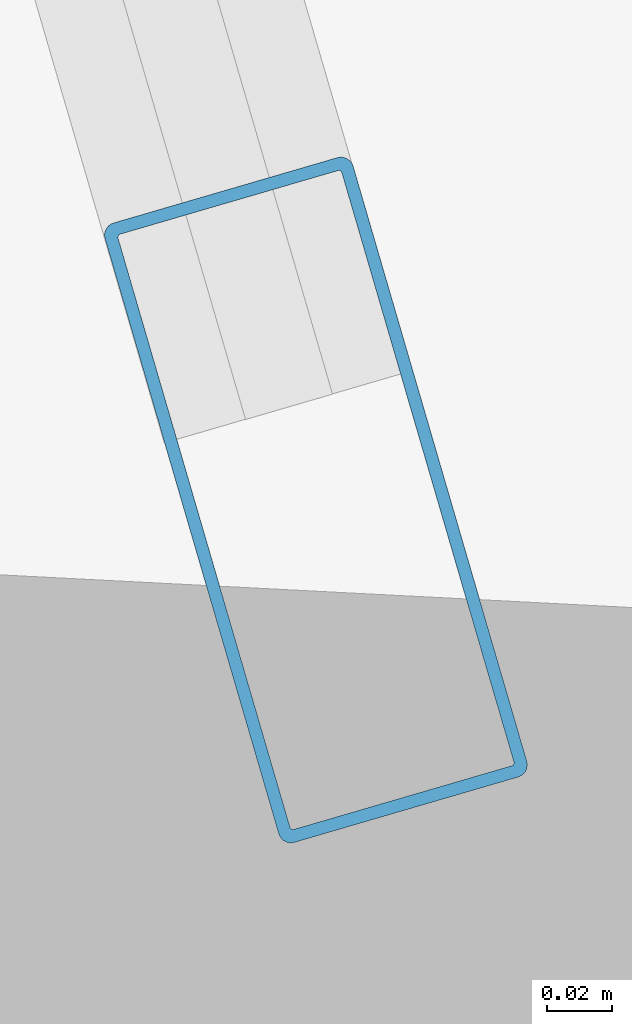
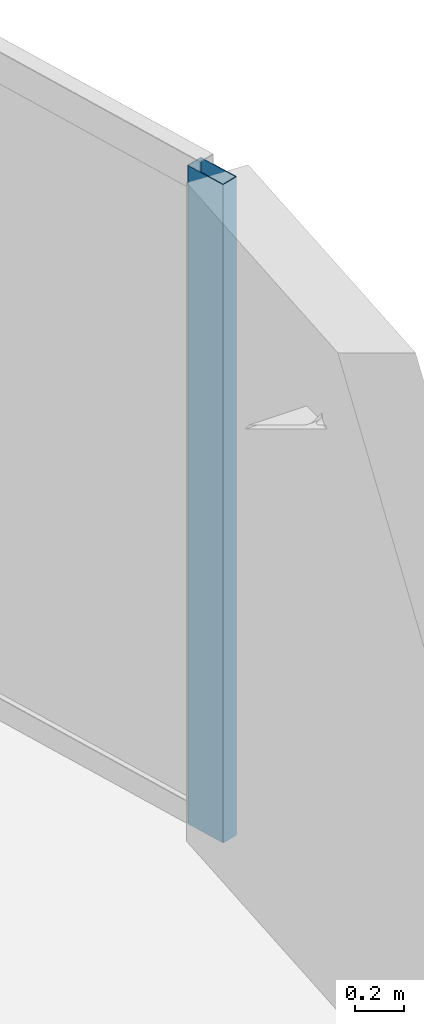
# One storey, part 13 of 30: 1 member, 1 element without a shape of its own.
"""IFC4 building model written with IfcOpenShell, lengths in metres."""

import ifcopenshell
import ifcopenshell.guid

model = None  # the IFC model being written
_history = None  # IfcOwnerHistory: only IFC2X3 demands one
_inside = {}  # id of a spatial element -> (the spatial element, [elements in it])
_under = {}  # id of a project, library or spatial element -> (it, [spatial elements below it])
_declared = {}  # id of a project -> (the project, [libraries it declares])
_typed = {}  # id of a type object -> (the type object, [elements of that type])
_made_of = {}  # id of a material, layer set ... -> (it, [elements and type objects made of it])


def new_model(schema):
    """Start an empty IFC model of exactly this schema.

    Asked for "IFC4X3", IfcOpenShell would pick the latest addendum, in which some entities
    have other attributes; the version numbers below select the first issue.
    IFC2X3 requires an IfcOwnerHistory on every rooted entity: one is made here for all.
    """
    global model, _history
    if schema == "IFC4X3":
        model = ifcopenshell.file(schema_version=(4, 3, 0, 0))
    else:
        model = ifcopenshell.file(schema=schema)
    _inside.clear()
    _under.clear()
    _declared.clear()
    _typed.clear()
    _made_of.clear()
    _history = None
    if model.schema == "IFC2X3":
        org = make("IfcOrganization", Name="unknown")
        user = make(
            "IfcPersonAndOrganization",
            ThePerson=make("IfcPerson", FamilyName="unknown"),
            TheOrganization=org,
        )
        app = make(
            "IfcApplication",
            ApplicationDeveloper=org,
            Version="unknown",
            ApplicationFullName="unknown",
            ApplicationIdentifier="unknown",
        )
        _history = make(
            "IfcOwnerHistory",
            OwningUser=user,
            OwningApplication=app,
            ChangeAction="ADDED",
            CreationDate=0,
        )
    return model


def make(cls, **values):
    """One entity of the class cls with the attributes given. An attribute that is None is left unset."""
    return model.create_entity(
        cls, **{name: value for name, value in values.items() if value is not None}
    )


def rooted(cls, **values):
    """An entity with a GlobalId (a new one), such as an element, a storey or a relation."""
    return make(cls, GlobalId=ifcopenshell.guid.new(), OwnerHistory=_history, **values)


def si_unit(unit_type, name, prefix=None):
    """IfcSIUnit, for example si_unit("LENGTHUNIT", "METRE", prefix="MILLI")."""
    return make("IfcSIUnit", UnitType=unit_type, Prefix=prefix, Name=name)


def assignment(units):
    """IfcUnitAssignment: the units of a project."""
    return None if units is None else make("IfcUnitAssignment", Units=units)


def point(xyz):
    """IfcCartesianPoint."""
    return None if xyz is None else make("IfcCartesianPoint", Coordinates=xyz)


def direction(xyz):
    """IfcDirection."""
    return None if xyz is None else make("IfcDirection", DirectionRatios=xyz)


def frame(location, z_axis=None, x_axis=None):
    """IfcAxis2Placement3D, a coordinate frame: its origin and axes. An axis left out is left unset."""
    return make(
        "IfcAxis2Placement3D",
        Location=point(location),
        Axis=direction(z_axis),
        RefDirection=direction(x_axis),
    )


def frame_2d(location, x_axis=None):
    """IfcAxis2Placement2D, a coordinate frame in the plane: its origin and x axis."""
    return make(
        "IfcAxis2Placement2D", Location=point(location), RefDirection=direction(x_axis)
    )


def origin():
    """The frame at (0, 0, 0) with its axes left unset."""
    return frame((0.0, 0.0, 0.0))


def origin_2d():
    """The frame at (0, 0) in the plane with its x axis left unset."""
    return frame_2d((0.0, 0.0))


def place(relative_to, where):
    """IfcLocalPlacement: puts the frame where relative to a parent placement (None: the world)."""
    return make(
        "IfcLocalPlacement", PlacementRelTo=relative_to, RelativePlacement=where
    )


def context(
    kind, dimensions, precision=None, world=None, true_north=None, identifier=None
):
    """IfcGeometricRepresentationContext, for example the 3D "Model" context."""
    return make(
        "IfcGeometricRepresentationContext",
        ContextIdentifier=identifier,
        ContextType=kind,
        CoordinateSpaceDimension=dimensions,
        Precision=precision,
        WorldCoordinateSystem=world,
        TrueNorth=true_north,
    )


def subcontext(parent, identifier, kind, view, scale=None):
    """IfcGeometricRepresentationSubContext, for example "Body" below "Model"."""
    return make(
        "IfcGeometricRepresentationSubContext",
        ContextIdentifier=identifier,
        ContextType=kind,
        ParentContext=parent,
        TargetScale=scale,
        TargetView=view,
    )


def project(units=None, contexts=None):
    """IfcProject with its units and contexts."""
    return rooted(
        "IfcProject",
        Name="project",
        RepresentationContexts=contexts,
        UnitsInContext=assignment(units),
    )


def spatial(cls, under=None, at=None, **own):
    """A site, building, storey or space (cls), placed at a placement, below another one or the project."""
    s = rooted(cls, ObjectPlacement=at, **own)
    if under is not None:
        _under.setdefault(under.id(), (under, []))[1].append(s)
    return s


def profile(cls, at=None, kind="AREA", **sizes):
    """A parametric profile (cls). Its sizes go by their IFC names, for example OverallWidth=200.0."""
    return make(cls, ProfileType=kind, Position=at, **sizes)


def hollow_rectangle(**sizes):
    """IfcRectangleHollowProfileDef."""
    return profile("IfcRectangleHollowProfileDef", **sizes)


def extrude(swept, where, along, depth):
    """IfcExtrudedAreaSolid: the profile swept, set in the frame where, extruded along a direction by depth."""
    return make(
        "IfcExtrudedAreaSolid",
        SweptArea=swept,
        Position=where,
        ExtrudedDirection=direction(along),
        Depth=depth,
    )


def shape(context_of_items, identifier, shape_type, items):
    """IfcShapeRepresentation: the items that make up one representation, for example the "Body"."""
    return make(
        "IfcShapeRepresentation",
        ContextOfItems=context_of_items,
        RepresentationIdentifier=identifier,
        RepresentationType=shape_type,
        Items=items,
    )


def material(Name=None, Category=None):
    """IfcMaterial."""
    return make("IfcMaterial", Name=Name, Category=Category)


def layer(
    of_material, thickness, ventilated=None, Name=None, Category=None, Priority=None
):
    """IfcMaterialLayer: one layer of a wall or slab, of a material (None: an air gap)."""
    return make(
        "IfcMaterialLayer",
        Material=of_material,
        LayerThickness=thickness,
        IsVentilated=ventilated,
        Name=Name,
        Category=Category,
        Priority=Priority,
    )


def layer_set(layers, Name=None):
    """IfcMaterialLayerSet."""
    return make("IfcMaterialLayerSet", MaterialLayers=layers, LayerSetName=Name)


def material_profile(
    of_material, cross_section, Name=None, Category=None, Priority=None
):
    """IfcMaterialProfile: a cross section and its material."""
    return make(
        "IfcMaterialProfile",
        Name=Name,
        Material=of_material,
        Profile=cross_section,
        Priority=Priority,
        Category=Category,
    )


def profile_set(profiles, Name=None, composite=None):
    """IfcMaterialProfileSet."""
    return make(
        "IfcMaterialProfileSet",
        Name=Name,
        MaterialProfiles=profiles,
        CompositeProfile=composite,
    )


def made_of(thing, what):
    """Note that an element or type object is made of a material, layer set ...; save() writes the relation."""
    if what is not None:
        _made_of.setdefault(what.id(), (what, []))[1].append(thing)
    return thing


def type_object(cls, material=None, **own):
    """A type object (cls), such as IfcWallType, which elements share."""
    return made_of(rooted(cls, **own), material)


def element(
    cls,
    number,
    at=None,
    inside=None,
    cuts=None,
    type_object=None,
    material=None,
    context=None,
    identifier="Body",
    shape_type=None,
    held_by="IfcProductDefinitionShape",
    body=None,
    shapes=None,
    **own,
):
    """One element of the class cls, such as IfcWall. Its Tag is "e" and its number.

    at: its placement. inside: the storey or other place that contains it. cuts: it is an
    opening in that element (IfcRelVoidsElement). A single representation is given by context,
    identifier, shape_type and body (its items); several are given by shapes. held_by: the class
    of the entity that holds the representations. save() writes the other relations.
    """
    e = rooted(cls, Tag="e%d" % number, ObjectPlacement=at, **own)
    if body is not None:
        shapes = [shape(context, identifier, shape_type, body)]
    if shapes is not None:
        e.Representation = make(held_by, Representations=shapes)
    if inside is not None:
        _inside.setdefault(inside.id(), (inside, []))[1].append(e)
    if cuts is not None:
        rooted(
            "IfcRelVoidsElement", RelatingBuildingElement=cuts, RelatedOpeningElement=e
        )
    if type_object is not None:
        _typed.setdefault(type_object.id(), (type_object, []))[1].append(e)
    return made_of(e, material)


def aggregate(whole, parts):
    """IfcRelAggregates: a whole, such as a stair, and the parts it consists of."""
    return rooted("IfcRelAggregates", RelatingObject=whole, RelatedObjects=parts)


def save(model, path):
    """Write the relations noted so far, then the file.

    IfcRelAggregates (storeys below a building ...), IfcRelContainedInSpatialStructure (elements
    in a storey), IfcRelDefinesByType, IfcRelAssociatesMaterial and IfcRelDeclares: one each for
    every whole, place, type object, material and project.
    """
    for whole, parts in _under.values():
        aggregate(whole, parts)
    for where, things in _inside.values():
        rooted(
            "IfcRelContainedInSpatialStructure",
            RelatedElements=things,
            RelatingStructure=where,
        )
    for kind, things in _typed.values():
        rooted("IfcRelDefinesByType", RelatedObjects=things, RelatingType=kind)
    for what, things in _made_of.values():
        rooted("IfcRelAssociatesMaterial", RelatedObjects=things, RelatingMaterial=what)
    for by, libraries in _declared.values():
        rooted("IfcRelDeclares", RelatingContext=by, RelatedDefinitions=libraries)
    model.write(path)


model = new_model("IFC4")

# Units and contexts
model_context = context("Model", 3, precision=1e-05, world=origin(), true_north=direction((0.0, 1.0)))
body_context = subcontext(model_context, "Body", "Model", "MODEL_VIEW")
ifc_project = project(units=[si_unit("LENGTHUNIT", "METRE"), si_unit("AREAUNIT", "SQUARE_METRE"), si_unit("VOLUMEUNIT", "CUBIC_METRE"), si_unit("PLANEANGLEUNIT", "RADIAN"), si_unit("MASSUNIT", "GRAM", prefix="KILO")], contexts=[model_context])

# Site, building, storey
site_placement = place(None, origin())
site = spatial("IfcSite", under=ifc_project, at=site_placement, CompositionType="ELEMENT")
building_placement = place(site_placement, origin())
building = spatial("IfcBuilding", under=site, at=building_placement, Name="Bramvorn Convention Spire", CompositionType="ELEMENT")
storey_placement = place(building_placement, frame((0.0, 0.0, 90.39990234375)))
storey = spatial("IfcBuildingStorey", under=building, at=storey_placement, Name="L21", CompositionType="ELEMENT", Elevation=90.39990234375)

# Curtain wall, member
ifc_material_1 = material(Name="Anodised Bronze Unitised Curtain Wall", Category="aluminium")
ifc_layer = layer(ifc_material_1, 0.179931640625)
ifc_layer_set = layer_set([ifc_layer], Name="Anodised Bronze Unitised Curtain Wall - CW-HTL-FRIT")
curtain_wall_type = type_object("IfcCurtainWallType", Name="CW-HTL-FRIT", PredefinedType="USERDEFINED", material=ifc_layer_set)
curtain_wall_placement = place(storey_placement, origin())
curtain_wall = element("IfcCurtainWall", 1, at=curtain_wall_placement, inside=storey, type_object=curtain_wall_type, Name="L21 fritted glass curtain wall 02", ObjectType="UNITISED CURTAIN WALL", PredefinedType="USERDEFINED")
ifc_material_2 = material(Name="Anodised Bronze Aluminium 6063-T6", Category="aluminium")
ifc_material_profile = material_profile(ifc_material_2, hollow_rectangle(XDim=0.080078125, YDim=0.199951171875, WallThickness=0.00390625, InnerFilletRadius=0.0009765625, OuterFilletRadius=0.00390625, at=origin_2d()))
ifc_profile_set = profile_set([ifc_material_profile], Name="Anodised Bronze Aluminium 6063-T6 - CWM80X200")
member_type = type_object("IfcMemberType", Name="CW-MUL-180", PredefinedType="MULLION", material=ifc_profile_set)
member_placement = place(storey_placement, frame((70.047119140625, 23.449951171875, 0.0), z_axis=(0.0, 0.0, 1.0), x_axis=(0.959942285209, 0.280197803467, 0.0)))
member = element("IfcMember", 2, at=member_placement, type_object=member_type, Name="CW2 mullion 2", PredefinedType="MULLION", context=body_context, shape_type="SweptSolid", body=[
    extrude(hollow_rectangle(XDim=0.080078125, YDim=0.199951171875, WallThickness=0.00390625, InnerFilletRadius=0.0009765625, OuterFilletRadius=0.00390625, at=origin_2d()), origin(), (0.0, 0.0, 1.0), 3.25),
])
aggregate(curtain_wall, [member])

save(model, "model.ifc")
